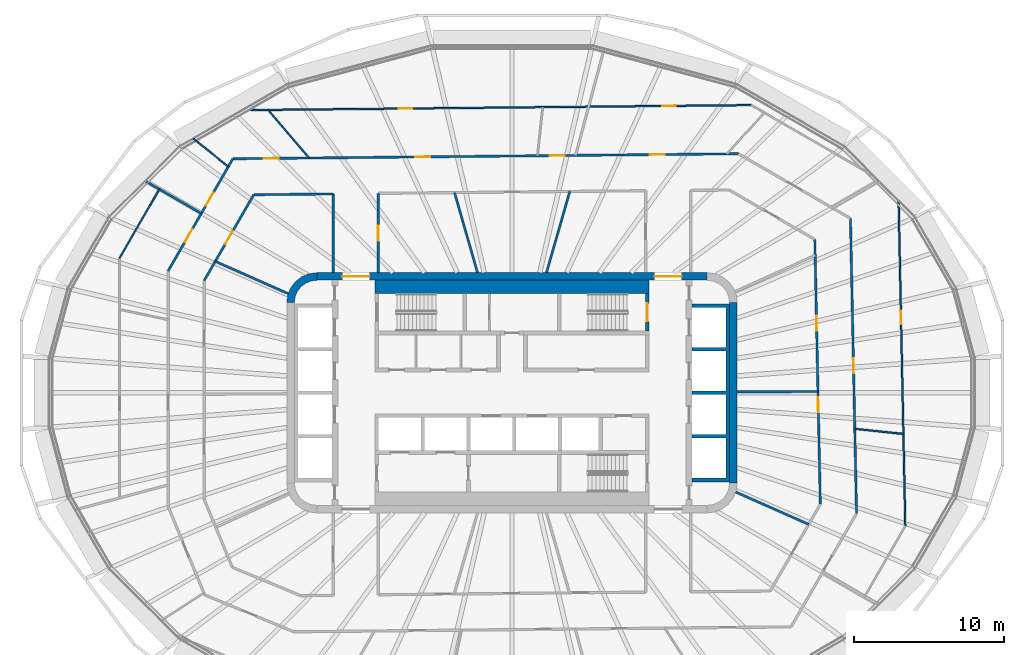
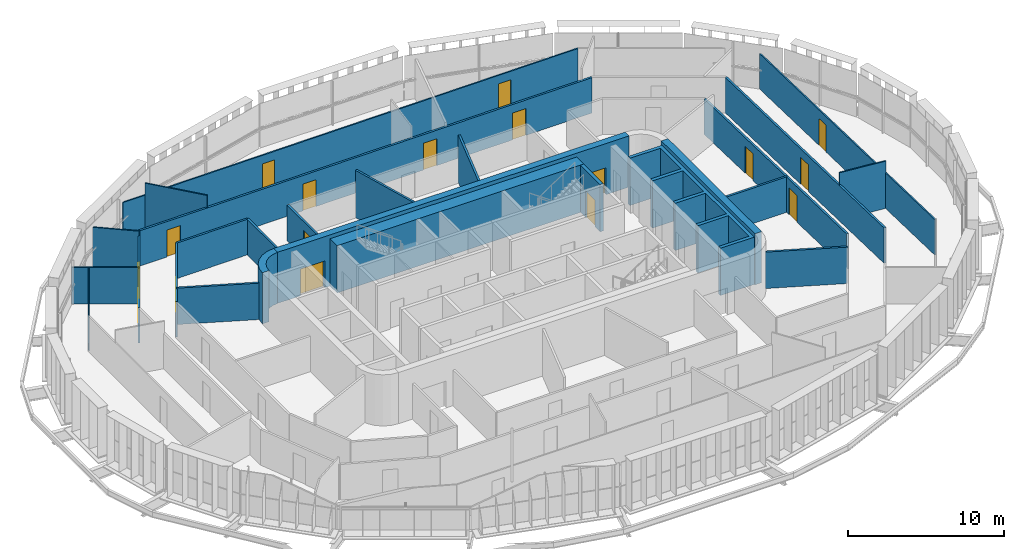
# One storey, part 13 of 21: 26 walls, 17 doors, 17 openings.
"""IFC4 building model written with IfcOpenShell, lengths in metres."""

import ifcopenshell
import ifcopenshell.guid

model = None  # the IFC model being written
_history = None  # IfcOwnerHistory: only IFC2X3 demands one
_inside = {}  # id of a spatial element -> (the spatial element, [elements in it])
_under = {}  # id of a project, library or spatial element -> (it, [spatial elements below it])
_declared = {}  # id of a project -> (the project, [libraries it declares])
_typed = {}  # id of a type object -> (the type object, [elements of that type])
_made_of = {}  # id of a material, layer set ... -> (it, [elements and type objects made of it])


def new_model(schema):
    """Start an empty IFC model of exactly this schema.

    Asked for "IFC4X3", IfcOpenShell would pick the latest addendum, in which some entities
    have other attributes; the version numbers below select the first issue.
    IFC2X3 requires an IfcOwnerHistory on every rooted entity: one is made here for all.
    """
    global model, _history
    if schema == "IFC4X3":
        model = ifcopenshell.file(schema_version=(4, 3, 0, 0))
    else:
        model = ifcopenshell.file(schema=schema)
    _inside.clear()
    _under.clear()
    _declared.clear()
    _typed.clear()
    _made_of.clear()
    _history = None
    if model.schema == "IFC2X3":
        org = make("IfcOrganization", Name="unknown")
        user = make(
            "IfcPersonAndOrganization",
            ThePerson=make("IfcPerson", FamilyName="unknown"),
            TheOrganization=org,
        )
        app = make(
            "IfcApplication",
            ApplicationDeveloper=org,
            Version="unknown",
            ApplicationFullName="unknown",
            ApplicationIdentifier="unknown",
        )
        _history = make(
            "IfcOwnerHistory",
            OwningUser=user,
            OwningApplication=app,
            ChangeAction="ADDED",
            CreationDate=0,
        )
    return model


def make(cls, **values):
    """One entity of the class cls with the attributes given. An attribute that is None is left unset."""
    return model.create_entity(
        cls, **{name: value for name, value in values.items() if value is not None}
    )


def rooted(cls, **values):
    """An entity with a GlobalId (a new one), such as an element, a storey or a relation."""
    return make(cls, GlobalId=ifcopenshell.guid.new(), OwnerHistory=_history, **values)


def si_unit(unit_type, name, prefix=None):
    """IfcSIUnit, for example si_unit("LENGTHUNIT", "METRE", prefix="MILLI")."""
    return make("IfcSIUnit", UnitType=unit_type, Prefix=prefix, Name=name)


def assignment(units):
    """IfcUnitAssignment: the units of a project."""
    return None if units is None else make("IfcUnitAssignment", Units=units)


def point(xyz):
    """IfcCartesianPoint."""
    return None if xyz is None else make("IfcCartesianPoint", Coordinates=xyz)


def direction(xyz):
    """IfcDirection."""
    return None if xyz is None else make("IfcDirection", DirectionRatios=xyz)


def frame(location, z_axis=None, x_axis=None):
    """IfcAxis2Placement3D, a coordinate frame: its origin and axes. An axis left out is left unset."""
    return make(
        "IfcAxis2Placement3D",
        Location=point(location),
        Axis=direction(z_axis),
        RefDirection=direction(x_axis),
    )


def frame_2d(location, x_axis=None):
    """IfcAxis2Placement2D, a coordinate frame in the plane: its origin and x axis."""
    return make(
        "IfcAxis2Placement2D", Location=point(location), RefDirection=direction(x_axis)
    )


def origin():
    """The frame at (0, 0, 0) with its axes left unset."""
    return frame((0.0, 0.0, 0.0))


def place(relative_to, where):
    """IfcLocalPlacement: puts the frame where relative to a parent placement (None: the world)."""
    return make(
        "IfcLocalPlacement", PlacementRelTo=relative_to, RelativePlacement=where
    )


def context(
    kind, dimensions, precision=None, world=None, true_north=None, identifier=None
):
    """IfcGeometricRepresentationContext, for example the 3D "Model" context."""
    return make(
        "IfcGeometricRepresentationContext",
        ContextIdentifier=identifier,
        ContextType=kind,
        CoordinateSpaceDimension=dimensions,
        Precision=precision,
        WorldCoordinateSystem=world,
        TrueNorth=true_north,
    )


def subcontext(parent, identifier, kind, view, scale=None):
    """IfcGeometricRepresentationSubContext, for example "Body" below "Model"."""
    return make(
        "IfcGeometricRepresentationSubContext",
        ContextIdentifier=identifier,
        ContextType=kind,
        ParentContext=parent,
        TargetScale=scale,
        TargetView=view,
    )


def project(units=None, contexts=None):
    """IfcProject with its units and contexts."""
    return rooted(
        "IfcProject",
        Name="project",
        RepresentationContexts=contexts,
        UnitsInContext=assignment(units),
    )


def spatial(cls, under=None, at=None, **own):
    """A site, building, storey or space (cls), placed at a placement, below another one or the project."""
    s = rooted(cls, ObjectPlacement=at, **own)
    if under is not None:
        _under.setdefault(under.id(), (under, []))[1].append(s)
    return s


def polyline(points):
    """IfcPolyline through the points."""
    return make("IfcPolyline", Points=[point(p) for p in points])


def profile(cls, at=None, kind="AREA", **sizes):
    """A parametric profile (cls). Its sizes go by their IFC names, for example OverallWidth=200.0."""
    return make(cls, ProfileType=kind, Position=at, **sizes)


def rectangle(**sizes):
    """IfcRectangleProfileDef."""
    return profile("IfcRectangleProfileDef", **sizes)


def outline(outer, holes=None, kind="AREA"):
    """IfcArbitraryClosedProfileDef: a profile drawn as a closed curve; with holes, ...WithVoids."""
    if holes is None:
        return make("IfcArbitraryClosedProfileDef", ProfileType=kind, OuterCurve=outer)
    return make(
        "IfcArbitraryProfileDefWithVoids",
        ProfileType=kind,
        OuterCurve=outer,
        InnerCurves=holes,
    )


def extrude(swept, where, along, depth):
    """IfcExtrudedAreaSolid: the profile swept, set in the frame where, extruded along a direction by depth."""
    return make(
        "IfcExtrudedAreaSolid",
        SweptArea=swept,
        Position=where,
        ExtrudedDirection=direction(along),
        Depth=depth,
    )


def shape(context_of_items, identifier, shape_type, items):
    """IfcShapeRepresentation: the items that make up one representation, for example the "Body"."""
    return make(
        "IfcShapeRepresentation",
        ContextOfItems=context_of_items,
        RepresentationIdentifier=identifier,
        RepresentationType=shape_type,
        Items=items,
    )


def material(Name=None, Category=None):
    """IfcMaterial."""
    return make("IfcMaterial", Name=Name, Category=Category)


def layer(
    of_material, thickness, ventilated=None, Name=None, Category=None, Priority=None
):
    """IfcMaterialLayer: one layer of a wall or slab, of a material (None: an air gap)."""
    return make(
        "IfcMaterialLayer",
        Material=of_material,
        LayerThickness=thickness,
        IsVentilated=ventilated,
        Name=Name,
        Category=Category,
        Priority=Priority,
    )


def layer_set(layers, Name=None):
    """IfcMaterialLayerSet."""
    return make("IfcMaterialLayerSet", MaterialLayers=layers, LayerSetName=Name)


def made_of(thing, what):
    """Note that an element or type object is made of a material, layer set ...; save() writes the relation."""
    if what is not None:
        _made_of.setdefault(what.id(), (what, []))[1].append(thing)
    return thing


def type_object(cls, material=None, **own):
    """A type object (cls), such as IfcWallType, which elements share."""
    return made_of(rooted(cls, **own), material)


def element(
    cls,
    number,
    at=None,
    inside=None,
    cuts=None,
    type_object=None,
    material=None,
    context=None,
    identifier="Body",
    shape_type=None,
    held_by="IfcProductDefinitionShape",
    body=None,
    shapes=None,
    **own,
):
    """One element of the class cls, such as IfcWall. Its Tag is "e" and its number.

    at: its placement. inside: the storey or other place that contains it. cuts: it is an
    opening in that element (IfcRelVoidsElement). A single representation is given by context,
    identifier, shape_type and body (its items); several are given by shapes. held_by: the class
    of the entity that holds the representations. save() writes the other relations.
    """
    e = rooted(cls, Tag="e%d" % number, ObjectPlacement=at, **own)
    if body is not None:
        shapes = [shape(context, identifier, shape_type, body)]
    if shapes is not None:
        e.Representation = make(held_by, Representations=shapes)
    if inside is not None:
        _inside.setdefault(inside.id(), (inside, []))[1].append(e)
    if cuts is not None:
        rooted(
            "IfcRelVoidsElement", RelatingBuildingElement=cuts, RelatedOpeningElement=e
        )
    if type_object is not None:
        _typed.setdefault(type_object.id(), (type_object, []))[1].append(e)
    return made_of(e, material)


def fill(opening, filler):
    """IfcRelFillsElement: the door or window that sits in an opening."""
    return rooted(
        "IfcRelFillsElement",
        RelatingOpeningElement=opening,
        RelatedBuildingElement=filler,
    )


def aggregate(whole, parts):
    """IfcRelAggregates: a whole, such as a stair, and the parts it consists of."""
    return rooted("IfcRelAggregates", RelatingObject=whole, RelatedObjects=parts)


def save(model, path):
    """Write the relations noted so far, then the file.

    IfcRelAggregates (storeys below a building ...), IfcRelContainedInSpatialStructure (elements
    in a storey), IfcRelDefinesByType, IfcRelAssociatesMaterial and IfcRelDeclares: one each for
    every whole, place, type object, material and project.
    """
    for whole, parts in _under.values():
        aggregate(whole, parts)
    for where, things in _inside.values():
        rooted(
            "IfcRelContainedInSpatialStructure",
            RelatedElements=things,
            RelatingStructure=where,
        )
    for kind, things in _typed.values():
        rooted("IfcRelDefinesByType", RelatedObjects=things, RelatingType=kind)
    for what, things in _made_of.values():
        rooted("IfcRelAssociatesMaterial", RelatedObjects=things, RelatingMaterial=what)
    for by, libraries in _declared.values():
        rooted("IfcRelDeclares", RelatingContext=by, RelatedDefinitions=libraries)
    model.write(path)


model = new_model("IFC4")

# Units and contexts
model_context = context("Model", 3, precision=1e-05, world=origin(), true_north=direction((0.0, 1.0)))
body_context = subcontext(model_context, "Body", "Model", "MODEL_VIEW")
ifc_project = project(units=[si_unit("LENGTHUNIT", "METRE"), si_unit("AREAUNIT", "SQUARE_METRE"), si_unit("VOLUMEUNIT", "CUBIC_METRE"), si_unit("PLANEANGLEUNIT", "RADIAN"), si_unit("MASSUNIT", "GRAM", prefix="KILO")], contexts=[model_context])

# Site, building, storey
site_placement = place(None, origin())
site = spatial("IfcSite", under=ifc_project, at=site_placement, CompositionType="ELEMENT")
building_placement = place(site_placement, origin())
building = spatial("IfcBuilding", under=site, at=building_placement, Name="Sahrelin Media Tower", CompositionType="ELEMENT")
storey_placement = place(building_placement, frame((0.0, 0.0, 193.60009765625)))
storey = spatial("IfcBuildingStorey", under=building, at=storey_placement, Name="L41", CompositionType="ELEMENT", Elevation=193.60009765625)

# Wall, openings, doors
ifc_material_1 = material(Name="Concrete C60/75", Category="concrete")
ifc_layer_1 = layer(ifc_material_1, 0.5)
ifc_layer_set_1 = layer_set([ifc_layer_1], Name="Core wall 500")
wall_type_1 = type_object("IfcWallType", Name="Core wall 500", PredefinedType="SHEAR", material=ifc_layer_set_1)
wall_1_placement = place(storey_placement, frame((-13.0, 7.75, 0.0), z_axis=(0.0, 0.0, 1.0), x_axis=(1.0, 0.0, 0.0)))
wall_1 = element("IfcWall", 1, at=wall_1_placement, inside=storey, type_object=wall_type_1, Name="Core wall N L41", PredefinedType="SHEAR", context=body_context, shape_type="SweptSolid", body=[
    extrude(rectangle(XDim=26.0, YDim=0.5, at=frame_2d((13.0, 0.0))), origin(), (0.0, 0.0, 1.0), 4.0),
])
opening_1_placement = place(wall_1_placement, frame((1.699951171875, 0.0, 0.0)))
opening_1 = element("IfcOpeningElement", 2, at=opening_1_placement, cuts=wall_1, Name="Opening L41-D17", PredefinedType="OPENING", context=body_context, shape_type="SweptSolid", body=[
    extrude(rectangle(XDim=1.800048828125, YDim=2.10009765625, at=frame_2d((0.89990234375, 1.050048828125))), frame((0.0, 0.25, 0.0), z_axis=(0.0, -1.0, 0.0), x_axis=(1.0, 0.0, 0.0)), (0.0, 0.0, 1.0), 0.5),
])
opening_2_placement = place(wall_1_placement, frame((22.5, 0.0, 0.0)))
opening_2 = element("IfcOpeningElement", 3, at=opening_2_placement, cuts=wall_1, Name="Opening L41-D18", PredefinedType="OPENING", context=body_context, shape_type="SweptSolid", body=[
    extrude(rectangle(XDim=1.800048828125, YDim=2.10009765625, at=frame_2d((0.89990234375, 1.050048828125))), frame((0.0, 0.25, 0.0), z_axis=(0.0, -1.0, 0.0), x_axis=(1.0, 0.0, 0.0)), (0.0, 0.0, 1.0), 0.5),
])
ifc_material_2 = material(Name="Steel fire door leaf", Category="steel")
door_type_1 = type_object("IfcDoorType", Name="Lobby double door 1800 x 2100 EI 60", OperationType="DOUBLE_DOOR_SINGLE_SWING", PredefinedType="DOOR", material=ifc_material_2)
door_1_placement = place(opening_1_placement, origin())
door_1 = element("IfcDoor", 4, at=door_1_placement, inside=storey, type_object=door_type_1, Name="Lobby door", OperationType="DOUBLE_DOOR_SINGLE_SWING", OverallHeight=2.10009765625, OverallWidth=1.800048828125, PredefinedType="DOOR", context=body_context, shape_type="SweptSolid", body=[
    extrude(rectangle(XDim=1.800048828125, YDim=2.10009765625, at=frame_2d((0.89990234375, 1.050048828125))), frame((0.0, 0.02490234375, 0.0), z_axis=(0.0, -1.0, 0.0), x_axis=(1.0, 0.0, 0.0)), (0.0, 0.0, 1.0), 0.050048828125),
])
fill(opening_1, door_1)
door_2_placement = place(opening_2_placement, origin())
door_2 = element("IfcDoor", 5, at=door_2_placement, inside=storey, type_object=door_type_1, Name="Lobby door", OperationType="DOUBLE_DOOR_SINGLE_SWING", OverallHeight=2.10009765625, OverallWidth=1.800048828125, PredefinedType="DOOR", context=body_context, shape_type="SweptSolid", body=[
    extrude(rectangle(XDim=1.800048828125, YDim=2.10009765625, at=frame_2d((0.89990234375, 1.050048828125))), frame((0.0, 0.02490234375, 0.0), z_axis=(0.0, -1.0, 0.0), x_axis=(1.0, 0.0, 0.0)), (0.0, 0.0, 1.0), 0.050048828125),
])
fill(opening_2, door_2)

# Walls
wall_2_placement = place(storey_placement, frame((14.75, -6.0, 0.0), z_axis=(0.0, 0.0, 1.0), x_axis=(0.0, 1.0, 0.0)))
element("IfcWall", 6, at=wall_2_placement, inside=storey, type_object=wall_type_1, Name="Core wall E L41", PredefinedType="SHEAR", context=body_context, shape_type="SweptSolid", body=[
    extrude(rectangle(XDim=12.0, YDim=0.5, at=frame_2d((6.0, 0.0))), origin(), (0.0, 0.0, 1.0), 4.0),
])
placement = place(storey_placement, origin())
element("IfcWall", 7, at=placement, inside=storey, type_object=wall_type_1, Name="Core wall corner NW L41", PredefinedType="SHEAR", context=body_context, shape_type="SweptSolid", body=[
    extrude(outline(polyline([(-15.0, 6.0), (-14.49560546875, 6.0), (-14.44482421875, 6.38720703125), (-14.29541015625, 6.747802734375), (-14.0576171875, 7.0576171875), (-13.747802734375, 7.29541015625), (-13.38720703125, 7.44482421875), (-13.0, 7.49560546875), (-13.0, 8.0), (-13.517578125, 7.931884765625), (-14.0, 7.732177734375), (-14.414306640625, 7.414306640625), (-14.732177734375, 7.0), (-14.931884765625, 6.517578125), (-15.0, 6.0)])), origin(), (0.0, 0.0, 1.0), 4.0),
])

# Wall, openings, doors
ifc_material_3 = material(Name="Fire-rated gypsum board partition")
ifc_layer_2 = layer(ifc_material_3, 0.14990234375)
ifc_layer_set_2 = layer_set([ifc_layer_2], Name="Fire-rated partition 150")
wall_type_2 = type_object("IfcWallType", Name="Fire-rated partition 150", PredefinedType="PARTITIONING", material=ifc_layer_set_2)
wall_4_placement = place(storey_placement, frame((20.1669921875, 10.212890625, 0.0), z_axis=(0.0, 0.0, 1.0), x_axis=(0.020624730832, -0.999787287616, 0.0)))
wall_4 = element("IfcWall", 8, at=wall_4_placement, inside=storey, type_object=wall_type_2, Name="Wall", PredefinedType="PARTITIONING", context=body_context, shape_type="SweptSolid", body=[
    extrude(rectangle(XDim=17.637451171875, YDim=0.14990234375, at=frame_2d((8.81884765625, 0.0))), origin(), (0.0, 0.0, 1.0), 2.76806640625),
])
opening_3_placement = place(wall_4_placement, frame((10.507568359375, 0.0, 0.0)))
opening_3 = element("IfcOpeningElement", 9, at=opening_3_placement, cuts=wall_4, Name="Opening L41-D25", PredefinedType="OPENING", context=body_context, shape_type="SweptSolid", body=[
    extrude(rectangle(XDim=1.0, YDim=2.10009765625, at=frame_2d((0.5, 1.050048828125))), frame((0.0, 0.074951171875, 0.0), z_axis=(0.0, -1.0, 0.0), x_axis=(1.0, 0.0, 0.0)), (0.0, 0.0, 1.0), 0.14990234375),
])
opening_4_placement = place(wall_4_placement, frame((5.089111328125, 0.0, 0.0)))
opening_4 = element("IfcOpeningElement", 10, at=opening_4_placement, cuts=wall_4, Name="Opening L41-D26", PredefinedType="OPENING", context=body_context, shape_type="SweptSolid", body=[
    extrude(rectangle(XDim=1.0, YDim=2.10009765625, at=frame_2d((0.5, 1.050048828125))), frame((0.0, 0.074951171875, 0.0), z_axis=(0.0, -1.0, 0.0), x_axis=(1.0, 0.0, 0.0)), (0.0, 0.0, 1.0), 0.14990234375),
])
door_type_2 = type_object("IfcDoorType", Name="Fire door 1000 x 2100 EI 60", OperationType="NOTDEFINED", PredefinedType="DOOR", material=ifc_material_2)
door_3_placement = place(opening_3_placement, origin())
door_3 = element("IfcDoor", 11, at=door_3_placement, inside=storey, type_object=door_type_2, Name="Fire door", OperationType="SINGLE_SWING_RIGHT", OverallHeight=2.10009765625, OverallWidth=1.0, PredefinedType="DOOR", context=body_context, shape_type="SweptSolid", body=[
    extrude(rectangle(XDim=1.0, YDim=2.10009765625, at=frame_2d((0.5, 1.050048828125))), frame((0.0, 0.02490234375, 0.0), z_axis=(0.0, -1.0, 0.0), x_axis=(1.0, 0.0, 0.0)), (0.0, 0.0, 1.0), 0.050048828125),
])
fill(opening_3, door_3)
door_4_placement = place(opening_4_placement, origin())
door_4 = element("IfcDoor", 12, at=door_4_placement, inside=storey, type_object=door_type_2, Name="Fire door", OperationType="SINGLE_SWING_LEFT", OverallHeight=2.10009765625, OverallWidth=1.0, PredefinedType="DOOR", context=body_context, shape_type="SweptSolid", body=[
    extrude(rectangle(XDim=1.0, YDim=2.10009765625, at=frame_2d((0.5, 1.050048828125))), frame((0.0, 0.02490234375, 0.0), z_axis=(0.0, -1.0, 0.0), x_axis=(1.0, 0.0, 0.0)), (0.0, 0.0, 1.0), 0.050048828125),
])
fill(opening_4, door_4)

# Wall, opening, door
wall_5_placement = place(storey_placement, frame((22.5390625, 11.614990234375, 0.0), z_axis=(0.0, 0.0, 1.0), x_axis=(0.020626332176, -0.99978725458, 0.0)))
wall_5 = element("IfcWall", 13, at=wall_5_placement, inside=storey, type_object=wall_type_2, Name="Wall", PredefinedType="PARTITIONING", context=body_context, shape_type="SweptSolid", body=[
    extrude(rectangle(XDim=19.66015625, YDim=0.14990234375, at=frame_2d((9.830078125, 0.0))), origin(), (0.0, 0.0, 1.0), 2.76806640625),
])
opening_5_placement = place(wall_5_placement, frame((9.329833984375, 0.0, 0.0)))
opening_5 = element("IfcOpeningElement", 14, at=opening_5_placement, cuts=wall_5, Name="Opening L41-D36", PredefinedType="OPENING", context=body_context, shape_type="SweptSolid", body=[
    extrude(rectangle(XDim=1.0, YDim=2.10009765625, at=frame_2d((0.5, 1.050048828125))), frame((0.0, 0.074951171875, 0.0), z_axis=(0.0, -1.0, 0.0), x_axis=(1.0, 0.0, 0.0)), (0.0, 0.0, 1.0), 0.14990234375),
])
door_5_placement = place(opening_5_placement, origin())
door_5 = element("IfcDoor", 15, at=door_5_placement, inside=storey, type_object=door_type_2, Name="Fire door", OperationType="SINGLE_SWING_RIGHT", OverallHeight=2.10009765625, OverallWidth=1.0, PredefinedType="DOOR", context=body_context, shape_type="SweptSolid", body=[
    extrude(rectangle(XDim=1.0, YDim=2.10009765625, at=frame_2d((0.5, 1.050048828125))), frame((0.0, 0.02490234375, 0.0), z_axis=(0.0, -1.0, 0.0), x_axis=(1.0, 0.0, 0.0)), (0.0, 0.0, 1.0), 0.050048828125),
])
fill(opening_5, door_5)

# Walls
wall_6_placement = place(storey_placement, frame((-3.826904296875, 13.3330078125, 0.0), z_axis=(0.0, 0.0, 1.0), x_axis=(0.275935525478, -0.961176147113, 0.0)))
element("IfcWall", 16, at=wall_6_placement, inside=storey, type_object=wall_type_2, Name="Wall", PredefinedType="PARTITIONING", context=body_context, shape_type="SweptSolid", body=[
    extrude(rectangle(XDim=5.54833984375, YDim=0.14990234375, at=frame_2d((2.774169921875, 0.0))), origin(), (0.0, 0.0, 1.0), 3.699951171875),
])
wall_7_placement = place(storey_placement, frame((-24.43310546875, 14.10595703125, 0.0), z_axis=(0.0, 0.0, 1.0), x_axis=(0.866048255864, -0.499960416948, 0.0)))
element("IfcWall", 17, at=wall_7_placement, inside=storey, type_object=wall_type_2, Name="Wall", PredefinedType="PARTITIONING", context=body_context, shape_type="SweptSolid", body=[
    extrude(rectangle(XDim=4.322021484375, YDim=0.14990234375, at=frame_2d((2.1611328125, 0.0))), origin(), (0.0, 0.0, 1.0), 2.844970703125),
])
wall_8_placement = place(storey_placement, frame((-19.760009765625, 8.7548828125, 0.0), z_axis=(0.0, 0.0, 1.0), x_axis=(0.91424834547, -0.405154245695, 0.0)))
element("IfcWall", 18, at=wall_8_placement, inside=storey, type_object=wall_type_2, Name="Wall", PredefinedType="PARTITIONING", context=body_context, shape_type="SweptSolid", body=[
    extrude(rectangle(XDim=5.31787109375, YDim=0.14990234375, at=frame_2d((2.658935546875, 0.0))), origin(), (0.0, 0.0, 1.0), 2.844970703125),
])
wall_9_placement = place(storey_placement, frame((14.89501953125, -6.60693359375, 0.0), z_axis=(0.0, 0.0, 1.0), x_axis=(0.914233271379, -0.405188259337, 0.0)))
element("IfcWall", 19, at=wall_9_placement, inside=storey, type_object=wall_type_2, Name="Wall", PredefinedType="PARTITIONING", context=body_context, shape_type="SweptSolid", body=[
    extrude(rectangle(XDim=5.3173828125, YDim=0.14990234375, at=frame_2d((2.65869140625, 0.0))), origin(), (0.0, 0.0, 1.0), 2.844970703125),
])
wall_10_placement = place(storey_placement, frame((15.0, 0.06298828125, 0.0), z_axis=(0.0, 0.0, 1.0), x_axis=(0.999990294223, 0.004405843865, 0.0)))
element("IfcWall", 20, at=wall_10_placement, inside=storey, type_object=wall_type_2, Name="Wall", PredefinedType="PARTITIONING", context=body_context, shape_type="SweptSolid", body=[
    extrude(rectangle(XDim=5.375, YDim=0.14990234375, at=frame_2d((2.6875, 0.0))), origin(), (0.0, 0.0, 1.0), 2.76806640625),
])
wall_11_placement = place(storey_placement, frame((-17.194091796875, 13.19091796875, 0.0), z_axis=(0.0, 0.0, 1.0), x_axis=(0.999950853109, 0.009914200296, 0.0)))
element("IfcWall", 21, at=wall_11_placement, inside=storey, type_object=wall_type_2, Name="Wall", PredefinedType="PARTITIONING", context=body_context, shape_type="SweptSolid", body=[
    extrude(rectangle(XDim=5.29443359375, YDim=0.14990234375, at=frame_2d((2.647216796875, 0.0))), origin(), (0.0, 0.0, 1.0), 2.77685546875),
])

# Wall, openings, doors
wall_12_placement = place(storey_placement, frame((-18.5869140625, 15.58642578125, 0.0), z_axis=(0.0, 0.0, 1.0), x_axis=(0.999951300332, 0.009868989991, 0.0)))
wall_12 = element("IfcWall", 22, at=wall_12_placement, inside=storey, type_object=wall_type_2, Name="Wall", PredefinedType="PARTITIONING", context=body_context, shape_type="SweptSolid", body=[
    extrude(rectangle(XDim=33.668701171875, YDim=0.14990234375, at=frame_2d((16.83447265625, 0.0))), origin(), (0.0, 0.0, 1.0), 2.76806640625),
])
opening_6_placement = place(wall_12_placement, frame((27.74853515625, 0.0, 0.0)))
opening_6 = element("IfcOpeningElement", 23, at=opening_6_placement, cuts=wall_12, Name="Opening L41-D39", PredefinedType="OPENING", context=body_context, shape_type="SweptSolid", body=[
    extrude(rectangle(XDim=1.0, YDim=2.10009765625, at=frame_2d((0.5, 1.050048828125))), frame((0.0, 0.074951171875, 0.0), z_axis=(0.0, -1.0, 0.0), x_axis=(1.0, 0.0, 0.0)), (0.0, 0.0, 1.0), 0.14990234375),
])
opening_7_placement = place(wall_12_placement, frame((21.11083984375, 0.0, 0.0)))
opening_7 = element("IfcOpeningElement", 24, at=opening_7_placement, cuts=wall_12, Name="Opening L41-D41", PredefinedType="OPENING", context=body_context, shape_type="SweptSolid", body=[
    extrude(rectangle(XDim=1.0, YDim=2.10009765625, at=frame_2d((0.5, 1.050048828125))), frame((0.0, 0.074951171875, 0.0), z_axis=(0.0, -1.0, 0.0), x_axis=(1.0, 0.0, 0.0)), (0.0, 0.0, 1.0), 0.14990234375),
])
opening_8_placement = place(wall_12_placement, frame((12.139404296875, 0.0, 0.0)))
opening_8 = element("IfcOpeningElement", 25, at=opening_8_placement, cuts=wall_12, Name="Opening L41-D42", PredefinedType="OPENING", context=body_context, shape_type="SweptSolid", body=[
    extrude(rectangle(XDim=1.0, YDim=2.10009765625, at=frame_2d((0.5, 1.050048828125))), frame((0.0, 0.074951171875, 0.0), z_axis=(0.0, -1.0, 0.0), x_axis=(1.0, 0.0, 0.0)), (0.0, 0.0, 1.0), 0.14990234375),
])
opening_9_placement = place(wall_12_placement, frame((2.0478515625, 0.0, 0.0)))
opening_9 = element("IfcOpeningElement", 26, at=opening_9_placement, cuts=wall_12, Name="Opening L41-D43", PredefinedType="OPENING", context=body_context, shape_type="SweptSolid", body=[
    extrude(rectangle(XDim=1.0, YDim=2.10009765625, at=frame_2d((0.5, 1.050048828125))), frame((0.0, 0.074951171875, 0.0), z_axis=(0.0, -1.0, 0.0), x_axis=(1.0, 0.0, 0.0)), (0.0, 0.0, 1.0), 0.14990234375),
])
door_6_placement = place(opening_6_placement, origin())
door_6 = element("IfcDoor", 27, at=door_6_placement, inside=storey, type_object=door_type_2, Name="Fire door", OperationType="SINGLE_SWING_RIGHT", OverallHeight=2.10009765625, OverallWidth=1.0, PredefinedType="DOOR", context=body_context, shape_type="SweptSolid", body=[
    extrude(rectangle(XDim=1.0, YDim=2.10009765625, at=frame_2d((0.5, 1.050048828125))), frame((0.0, 0.02490234375, 0.0), z_axis=(0.0, -1.0, 0.0), x_axis=(1.0, 0.0, 0.0)), (0.0, 0.0, 1.0), 0.050048828125),
])
fill(opening_6, door_6)
door_7_placement = place(opening_7_placement, origin())
door_7 = element("IfcDoor", 28, at=door_7_placement, inside=storey, type_object=door_type_2, Name="Fire door", OperationType="SINGLE_SWING_LEFT", OverallHeight=2.10009765625, OverallWidth=1.0, PredefinedType="DOOR", context=body_context, shape_type="SweptSolid", body=[
    extrude(rectangle(XDim=1.0, YDim=2.10009765625, at=frame_2d((0.5, 1.050048828125))), frame((0.0, 0.02490234375, 0.0), z_axis=(0.0, -1.0, 0.0), x_axis=(1.0, 0.0, 0.0)), (0.0, 0.0, 1.0), 0.050048828125),
])
fill(opening_7, door_7)
door_8_placement = place(opening_8_placement, origin())
door_8 = element("IfcDoor", 29, at=door_8_placement, inside=storey, type_object=door_type_2, Name="Fire door", OperationType="SINGLE_SWING_LEFT", OverallHeight=2.10009765625, OverallWidth=1.0, PredefinedType="DOOR", context=body_context, shape_type="SweptSolid", body=[
    extrude(rectangle(XDim=1.0, YDim=2.10009765625, at=frame_2d((0.5, 1.050048828125))), frame((0.0, 0.02490234375, 0.0), z_axis=(0.0, -1.0, 0.0), x_axis=(1.0, 0.0, 0.0)), (0.0, 0.0, 1.0), 0.050048828125),
])
fill(opening_8, door_8)
door_9_placement = place(opening_9_placement, origin())
door_9 = element("IfcDoor", 30, at=door_9_placement, inside=storey, type_object=door_type_2, Name="Fire door", OperationType="SINGLE_SWING_RIGHT", OverallHeight=2.10009765625, OverallWidth=1.0, PredefinedType="DOOR", context=body_context, shape_type="SweptSolid", body=[
    extrude(rectangle(XDim=1.0, YDim=2.10009765625, at=frame_2d((0.5, 1.050048828125))), frame((0.0, 0.02490234375, 0.0), z_axis=(0.0, -1.0, 0.0), x_axis=(1.0, 0.0, 0.0)), (0.0, 0.0, 1.0), 0.050048828125),
])
fill(opening_9, door_9)

# Wall, opening, door
wall_13_placement = place(storey_placement, frame((-20.5, 7.47412109375, 0.0), z_axis=(0.0, 0.0, 1.0), x_axis=(0.499957196903, 0.866050114754, 0.0)))
wall_13 = element("IfcWall", 31, at=wall_13_placement, inside=storey, type_object=wall_type_2, Name="Wall", PredefinedType="PARTITIONING", context=body_context, shape_type="SweptSolid", body=[
    extrude(rectangle(XDim=6.60205078125, YDim=0.14990234375, at=frame_2d((3.301025390625, 0.0))), origin(), (0.0, 0.0, 1.0), 2.77685546875),
])
opening_10_placement = place(wall_13_placement, frame((2.8017578125, 0.0, 0.0)))
opening_10 = element("IfcOpeningElement", 32, at=opening_10_placement, cuts=wall_13, Name="Opening L41-D31", PredefinedType="OPENING", context=body_context, shape_type="SweptSolid", body=[
    extrude(rectangle(XDim=1.0, YDim=2.10009765625, at=frame_2d((0.5, 1.050048828125))), frame((0.0, 0.074951171875, 0.0), z_axis=(0.0, -1.0, 0.0), x_axis=(1.0, 0.0, 0.0)), (0.0, 0.0, 1.0), 0.14990234375),
])
door_10_placement = place(opening_10_placement, origin())
door_10 = element("IfcDoor", 33, at=door_10_placement, inside=storey, type_object=door_type_2, Name="Fire door", OperationType="SINGLE_SWING_LEFT", OverallHeight=2.10009765625, OverallWidth=1.0, PredefinedType="DOOR", context=body_context, shape_type="SweptSolid", body=[
    extrude(rectangle(XDim=1.0, YDim=2.10009765625, at=frame_2d((0.5, 1.050048828125))), frame((0.0, 0.02490234375, 0.0), z_axis=(0.0, -1.0, 0.0), x_axis=(1.0, 0.0, 0.0)), (0.0, 0.0, 1.0), 0.050048828125),
])
fill(opening_10, door_10)

# Wall, openings, doors
wall_14_placement = place(storey_placement, frame((-22.89990234375, 8.116943359375, 0.0), z_axis=(0.0, 0.0, 1.0), x_axis=(0.499950307977, 0.866054091587, 0.0)))
wall_14 = element("IfcWall", 34, at=wall_14_placement, inside=storey, type_object=wall_type_2, Name="Wall", PredefinedType="PARTITIONING", context=body_context, shape_type="SweptSolid", body=[
    extrude(rectangle(XDim=8.6259765625, YDim=0.14990234375, at=frame_2d((4.31298828125, 0.0))), origin(), (0.0, 0.0, 1.0), 2.77685546875),
])
opening_11_placement = place(wall_14_placement, frame((5.015380859375, 0.0, 0.0)))
opening_11 = element("IfcOpeningElement", 35, at=opening_11_placement, cuts=wall_14, Name="Opening L41-D44", PredefinedType="OPENING", context=body_context, shape_type="SweptSolid", body=[
    extrude(rectangle(XDim=1.0, YDim=2.10009765625, at=frame_2d((0.5, 1.050048828125))), frame((0.0, 0.074951171875, 0.0), z_axis=(0.0, -1.0, 0.0), x_axis=(1.0, 0.0, 0.0)), (0.0, 0.0, 1.0), 0.14990234375),
])
opening_12_placement = place(wall_14_placement, frame((2.2373046875, 0.0, 0.0)))
opening_12 = element("IfcOpeningElement", 36, at=opening_12_placement, cuts=wall_14, Name="Opening L41-D46", PredefinedType="OPENING", context=body_context, shape_type="SweptSolid", body=[
    extrude(rectangle(XDim=1.0, YDim=2.10009765625, at=frame_2d((0.5, 1.050048828125))), frame((0.0, 0.074951171875, 0.0), z_axis=(0.0, -1.0, 0.0), x_axis=(1.0, 0.0, 0.0)), (0.0, 0.0, 1.0), 0.14990234375),
])
door_11_placement = place(opening_11_placement, origin())
door_11 = element("IfcDoor", 37, at=door_11_placement, inside=storey, type_object=door_type_2, Name="Fire door", OperationType="SINGLE_SWING_RIGHT", OverallHeight=2.10009765625, OverallWidth=1.0, PredefinedType="DOOR", context=body_context, shape_type="SweptSolid", body=[
    extrude(rectangle(XDim=1.0, YDim=2.10009765625, at=frame_2d((0.5, 1.050048828125))), frame((0.0, 0.02490234375, 0.0), z_axis=(0.0, -1.0, 0.0), x_axis=(1.0, 0.0, 0.0)), (0.0, 0.0, 1.0), 0.050048828125),
])
fill(opening_11, door_11)
door_12_placement = place(opening_12_placement, origin())
door_12 = element("IfcDoor", 38, at=door_12_placement, inside=storey, type_object=door_type_2, Name="Fire door", OperationType="SINGLE_SWING_RIGHT", OverallHeight=2.10009765625, OverallWidth=1.0, PredefinedType="DOOR", context=body_context, shape_type="SweptSolid", body=[
    extrude(rectangle(XDim=1.0, YDim=2.10009765625, at=frame_2d((0.5, 1.050048828125))), frame((0.0, 0.02490234375, 0.0), z_axis=(0.0, -1.0, 0.0), x_axis=(1.0, 0.0, 0.0)), (0.0, 0.0, 1.0), 0.050048828125),
])
fill(opening_12, door_12)

# Wall
wall_15_placement = place(storey_placement, frame((2.2958984375, 8.0, 0.0), z_axis=(0.0, 0.0, 1.0), x_axis=(0.275958345059, 0.961169595749, 0.0)))
element("IfcWall", 39, at=wall_15_placement, inside=storey, type_object=wall_type_2, Name="Wall", PredefinedType="PARTITIONING", context=body_context, shape_type="SweptSolid", body=[
    extrude(rectangle(XDim=5.62841796875, YDim=0.14990234375, at=frame_2d((2.814208984375, 0.0))), origin(), (0.0, 0.0, 1.0), 3.699951171875),
])

# Wall, opening, door
wall_16_placement = place(storey_placement, frame((-8.89990234375, 8.0, 0.0), z_axis=(0.0, 0.0, 1.0), x_axis=(0.0, 1.0, 0.0)))
wall_16 = element("IfcWall", 40, at=wall_16_placement, inside=storey, type_object=wall_type_2, Name="Wall", PredefinedType="PARTITIONING", context=body_context, shape_type="SweptSolid", body=[
    extrude(rectangle(XDim=5.282958984375, YDim=0.14990234375, at=frame_2d((2.6416015625, 0.0))), origin(), (0.0, 0.0, 1.0), 2.77685546875),
])
opening_13_placement = place(wall_16_placement, frame((2.1416015625, 0.0, 0.0)))
opening_13 = element("IfcOpeningElement", 41, at=opening_13_placement, cuts=wall_16, Name="Opening L41-D30", PredefinedType="OPENING", context=body_context, shape_type="SweptSolid", body=[
    extrude(rectangle(XDim=1.0, YDim=2.10009765625, at=frame_2d((0.5, 1.050048828125))), frame((0.0, 0.074951171875, 0.0), z_axis=(0.0, -1.0, 0.0), x_axis=(1.0, 0.0, 0.0)), (0.0, 0.0, 1.0), 0.14990234375),
])
door_13_placement = place(opening_13_placement, origin())
door_13 = element("IfcDoor", 42, at=door_13_placement, inside=storey, type_object=door_type_2, Name="Fire door", OperationType="SINGLE_SWING_RIGHT", OverallHeight=2.10009765625, OverallWidth=1.0, PredefinedType="DOOR", context=body_context, shape_type="SweptSolid", body=[
    extrude(rectangle(XDim=1.0, YDim=2.10009765625, at=frame_2d((0.5, 1.050048828125))), frame((0.0, 0.02490234375, 0.0), z_axis=(0.0, -1.0, 0.0), x_axis=(1.0, 0.0, 0.0)), (0.0, 0.0, 1.0), 0.050048828125),
])
fill(opening_13, door_13)

# Walls
wall_17_placement = place(storey_placement, frame((-11.89990234375, 8.0, 0.0), z_axis=(0.0, 0.0, 1.0), x_axis=(0.0, 1.0, 0.0)))
element("IfcWall", 43, at=wall_17_placement, inside=storey, type_object=wall_type_2, Name="Wall", PredefinedType="PARTITIONING", context=body_context, shape_type="SweptSolid", body=[
    extrude(rectangle(XDim=5.242919921875, YDim=0.14990234375, at=frame_2d((2.62158203125, 0.0))), origin(), (0.0, 0.0, 1.0), 2.77685546875),
])
ifc_layer_3 = layer(ifc_material_1, 0.25)
ifc_layer_set_3 = layer_set([ifc_layer_3], Name="Lift shaft wall 250")
wall_type_3 = type_object("IfcWallType", Name="Lift shaft wall 250", PredefinedType="SOLIDWALL", material=ifc_layer_set_3)
element("IfcWall", 44, at=placement, inside=storey, type_object=wall_type_3, Name="Lift shaft wall", PredefinedType="SOLIDWALL", context=body_context, shape_type="SweptSolid", body=[
    extrude(outline(polyline([(12.0, -5.675048828125), (12.0, -5.925048828125), (14.25, -5.925048828125), (14.5, -5.925048828125), (14.5, -5.675048828125), (14.5, -3.02490234375), (14.5, -2.77490234375), (14.5, -0.125), (14.5, 0.125), (14.5, 2.77490234375), (14.5, 3.02490234375), (14.5, 5.675048828125), (14.5, 5.925048828125), (14.25, 5.925048828125), (12.0, 5.925048828125), (12.0, 5.675048828125), (14.25, 5.675048828125), (14.25, 3.02490234375), (12.0, 3.02490234375), (12.0, 2.77490234375), (14.25, 2.77490234375), (14.25, 0.125), (12.0, 0.125), (12.0, -0.125), (14.25, -0.125), (14.25, -2.77490234375), (12.0, -2.77490234375), (12.0, -3.02490234375), (14.25, -3.02490234375), (14.25, -5.675048828125), (12.0, -5.675048828125)])), origin(), (0.0, 0.0, 1.0), 3.699951171875),
])

# Wall, opening, door
ifc_material_4 = material(Name="Gypsum board partition")
ifc_layer_4 = layer(ifc_material_4, 0.10009765625)
ifc_layer_set_4 = layer_set([ifc_layer_4], Name="Partition 100")
wall_type_4 = type_object("IfcWallType", Name="Partition 100", PredefinedType="PARTITIONING", material=ifc_layer_set_4)
wall_19_placement = place(storey_placement, frame((25.74609375, 12.7939453125, 0.0), z_axis=(0.0, 0.0, 1.0), x_axis=(0.020556718749, -0.999788688331, 0.0)))
wall_19 = element("IfcWall", 45, at=wall_19_placement, inside=storey, type_object=wall_type_4, Name="Wall", PredefinedType="PARTITIONING", context=body_context, shape_type="SweptSolid", body=[
    extrude(rectangle(XDim=21.674560546875, YDim=0.10009765625, at=frame_2d((10.83740234375, 0.0))), origin(), (0.0, 0.0, 1.0), 2.76806640625),
])
opening_14_placement = place(wall_19_placement, frame((7.319580078125, 0.0, 0.0)))
opening_14 = element("IfcOpeningElement", 46, at=opening_14_placement, cuts=wall_19, Name="Opening L41-D37", PredefinedType="OPENING", context=body_context, shape_type="SweptSolid", body=[
    extrude(rectangle(XDim=0.89990234375, YDim=2.10009765625, at=frame_2d((0.449951171875, 1.050048828125))), frame((0.0, 0.050048828125, 0.0), z_axis=(0.0, -1.0, 0.0), x_axis=(1.0, 0.0, 0.0)), (0.0, 0.0, 1.0), 0.10009765625),
])
ifc_material_5 = material(Name="Timber door leaf", Category="wood")
door_type_3 = type_object("IfcDoorType", Name="Single door 900 x 2100", OperationType="NOTDEFINED", PredefinedType="DOOR", material=ifc_material_5)
door_14_placement = place(opening_14_placement, origin())
door_14 = element("IfcDoor", 47, at=door_14_placement, inside=storey, type_object=door_type_3, Name="Single door", OperationType="SINGLE_SWING_LEFT", OverallHeight=2.10009765625, OverallWidth=0.89990234375, PredefinedType="DOOR", context=body_context, shape_type="SweptSolid", body=[
    extrude(rectangle(XDim=0.89990234375, YDim=2.10009765625, at=frame_2d((0.449951171875, 1.050048828125))), frame((0.0, 0.02490234375, 0.0), z_axis=(0.0, -1.0, 0.0), x_axis=(1.0, 0.0, 0.0)), (0.0, 0.0, 1.0), 0.050048828125),
])
fill(opening_14, door_14)

# Walls
wall_20_placement = place(storey_placement, frame((-16.257080078125, 18.841064453125, 0.0), z_axis=(0.0, 0.0, 1.0), x_axis=(0.653325359449, -0.757077258079, 0.0)))
element("IfcWall", 48, at=wall_20_placement, inside=storey, type_object=wall_type_4, Name="Wall", PredefinedType="PARTITIONING", context=body_context, shape_type="SweptSolid", body=[
    extrude(rectangle(XDim=4.23095703125, YDim=0.10009765625, at=frame_2d((2.115478515625, 0.0))), origin(), (0.0, 0.0, 1.0), 3.699951171875),
])
wall_21_placement = place(storey_placement, frame((-21.22802734375, 16.927978515625, 0.0), z_axis=(0.0, 0.0, 1.0), x_axis=(0.781894831851, -0.623410355966, 0.0)))
element("IfcWall", 49, at=wall_21_placement, inside=storey, type_object=wall_type_4, Name="Wall", PredefinedType="PARTITIONING", context=body_context, shape_type="SweptSolid", body=[
    extrude(rectangle(XDim=2.99169921875, YDim=0.10009765625, at=frame_2d((1.495849609375, 0.0))), origin(), (0.0, 0.0, 1.0), 3.151611328125),
])
wall_22_placement = place(storey_placement, frame((22.827880859375, -2.39892578125, 0.0), z_axis=(0.0, 0.0, 1.0), x_axis=(0.994498465997, -0.104751139033, 0.0)))
element("IfcWall", 50, at=wall_22_placement, inside=storey, type_object=wall_type_4, Name="Wall", PredefinedType="PARTITIONING", context=body_context, shape_type="SweptSolid", body=[
    extrude(rectangle(XDim=3.255859375, YDim=0.10009765625, at=frame_2d((1.6279296875, 0.0))), origin(), (0.0, 0.0, 1.0), 3.699951171875),
])

# Wall, openings, doors
wall_23_placement = place(storey_placement, frame((-17.945068359375, 18.823974609375, 0.0), z_axis=(0.0, 0.0, 1.0), x_axis=(0.999950833273, 0.009916200716, 0.0)))
wall_23 = element("IfcWall", 51, at=wall_23_placement, inside=storey, type_object=wall_type_4, Name="Wall", PredefinedType="PARTITIONING", context=body_context, shape_type="SweptSolid", body=[
    extrude(rectangle(XDim=33.877685546875, YDim=0.10009765625, at=frame_2d((16.93896484375, 0.0))), origin(), (0.0, 0.0, 1.0), 2.76806640625),
])
opening_15_placement = place(wall_23_placement, frame((27.963623046875, 0.0, 0.0)))
opening_15 = element("IfcOpeningElement", 52, at=opening_15_placement, cuts=wall_23, Name="Opening L41-D40", PredefinedType="OPENING", context=body_context, shape_type="SweptSolid", body=[
    extrude(rectangle(XDim=0.89990234375, YDim=2.10009765625, at=frame_2d((0.449951171875, 1.050048828125))), frame((0.0, 0.050048828125, 0.0), z_axis=(0.0, -1.0, 0.0), x_axis=(1.0, 0.0, 0.0)), (0.0, 0.0, 1.0), 0.10009765625),
])
opening_16_placement = place(wall_23_placement, frame((10.3896484375, 0.0, 0.0)))
opening_16 = element("IfcOpeningElement", 53, at=opening_16_placement, cuts=wall_23, Name="Opening L41-D45", PredefinedType="OPENING", context=body_context, shape_type="SweptSolid", body=[
    extrude(rectangle(XDim=0.89990234375, YDim=2.10009765625, at=frame_2d((0.449951171875, 1.050048828125))), frame((0.0, 0.050048828125, 0.0), z_axis=(0.0, -1.0, 0.0), x_axis=(1.0, 0.0, 0.0)), (0.0, 0.0, 1.0), 0.10009765625),
])
door_15_placement = place(opening_15_placement, origin())
door_15 = element("IfcDoor", 54, at=door_15_placement, inside=storey, type_object=door_type_3, Name="Single door", OperationType="SINGLE_SWING_LEFT", OverallHeight=2.10009765625, OverallWidth=0.89990234375, PredefinedType="DOOR", context=body_context, shape_type="SweptSolid", body=[
    extrude(rectangle(XDim=0.89990234375, YDim=2.10009765625, at=frame_2d((0.449951171875, 1.050048828125))), frame((0.0, 0.02490234375, 0.0), z_axis=(0.0, -1.0, 0.0), x_axis=(1.0, 0.0, 0.0)), (0.0, 0.0, 1.0), 0.050048828125),
])
fill(opening_15, door_15)
door_16_placement = place(opening_16_placement, origin())
door_16 = element("IfcDoor", 55, at=door_16_placement, inside=storey, type_object=door_type_3, Name="Single door", OperationType="SINGLE_SWING_RIGHT", OverallHeight=2.10009765625, OverallWidth=0.89990234375, PredefinedType="DOOR", context=body_context, shape_type="SweptSolid", body=[
    extrude(rectangle(XDim=0.89990234375, YDim=2.10009765625, at=frame_2d((0.449951171875, 1.050048828125))), frame((0.0, 0.02490234375, 0.0), z_axis=(0.0, -1.0, 0.0), x_axis=(1.0, 0.0, 0.0)), (0.0, 0.0, 1.0), 0.050048828125),
])
fill(opening_16, door_16)

# Wall
wall_24_placement = place(storey_placement, frame((-26.1298828125, 8.98291015625, 0.0), z_axis=(0.0, 0.0, 1.0), x_axis=(0.500063643593, 0.865988656021, 0.0)))
element("IfcWall", 56, at=wall_24_placement, inside=storey, type_object=wall_type_4, Name="Wall", PredefinedType="PARTITIONING", context=body_context, shape_type="SweptSolid", body=[
    extrude(rectangle(XDim=5.285400390625, YDim=0.10009765625, at=frame_2d((2.642578125, 0.0))), origin(), (0.0, 0.0, 1.0), 2.844970703125),
])

# Wall, opening, door
ifc_layer_5 = layer(ifc_material_1, 0.25)
ifc_layer_set_5 = layer_set([ifc_layer_5], Name="Stair enclosure wall 250")
wall_type_5 = type_object("IfcWallType", Name="Stair enclosure wall 250", PredefinedType="SOLIDWALL", material=ifc_layer_set_5)
wall_25_placement = place(storey_placement, frame((9.0, 4.10009765625, 0.0), z_axis=(0.0, 0.0, 1.0), x_axis=(0.0, 1.0, 0.0)))
wall_25 = element("IfcWall", 57, at=wall_25_placement, inside=storey, type_object=wall_type_5, Name="Stair enclosure wall", PredefinedType="SOLIDWALL", context=body_context, shape_type="SweptSolid", body=[
    extrude(rectangle(XDim=2.5, YDim=0.25, at=frame_2d((1.25, 0.0))), origin(), (0.0, 0.0, 1.0), 3.699951171875),
])
opening_17_placement = place(wall_25_placement, frame((0.64990234375, 0.0, 0.0)))
opening_17 = element("IfcOpeningElement", 58, at=opening_17_placement, cuts=wall_25, Name="Opening L41-D02", PredefinedType="OPENING", context=body_context, shape_type="SweptSolid", body=[
    extrude(rectangle(XDim=1.199951171875, YDim=2.10009765625, at=frame_2d((0.60009765625, 1.050048828125))), frame((0.0, 0.125, 0.0), z_axis=(0.0, -1.0, 0.0), x_axis=(1.0, 0.0, 0.0)), (0.0, 0.0, 1.0), 0.25),
])
door_type_4 = type_object("IfcDoorType", Name="Stair door 1200 x 2100 EI 120", OperationType="NOTDEFINED", PredefinedType="DOOR", material=ifc_material_2)
door_17_placement = place(opening_17_placement, origin())
door_17 = element("IfcDoor", 59, at=door_17_placement, inside=storey, type_object=door_type_4, Name="Stair door ST3", OperationType="SINGLE_SWING_LEFT", OverallHeight=2.10009765625, OverallWidth=1.199951171875, PredefinedType="DOOR", context=body_context, shape_type="SweptSolid", body=[
    extrude(rectangle(XDim=1.199951171875, YDim=2.10009765625, at=frame_2d((0.60009765625, 1.050048828125))), frame((0.0, 0.02490234375, 0.0), z_axis=(0.0, -1.0, 0.0), x_axis=(1.0, 0.0, 0.0)), (0.0, 0.0, 1.0), 0.050048828125),
])
fill(opening_17, door_17)

# Wall
ifc_layer_6 = layer(ifc_material_1, 0.89990234375)
ifc_layer_set_6 = layer_set([ifc_layer_6], Name="Stair enclosure wall 900")
wall_type_6 = type_object("IfcWallType", Name="Stair enclosure wall 900", PredefinedType="SOLIDWALL", material=ifc_layer_set_6)
wall_26_placement = place(storey_placement, frame((-9.125, 7.050048828125, 0.0), z_axis=(0.0, 0.0, 1.0), x_axis=(1.0, 0.0, 0.0)))
element("IfcWall", 60, at=wall_26_placement, inside=storey, type_object=wall_type_6, Name="Stair enclosure wall", PredefinedType="SOLIDWALL", context=body_context, shape_type="SweptSolid", body=[
    extrude(rectangle(XDim=18.25, YDim=0.89990234375, at=frame_2d((9.125, 0.0))), origin(), (0.0, 0.0, 1.0), 3.699951171875),
])

save(model, "model.ifc")
